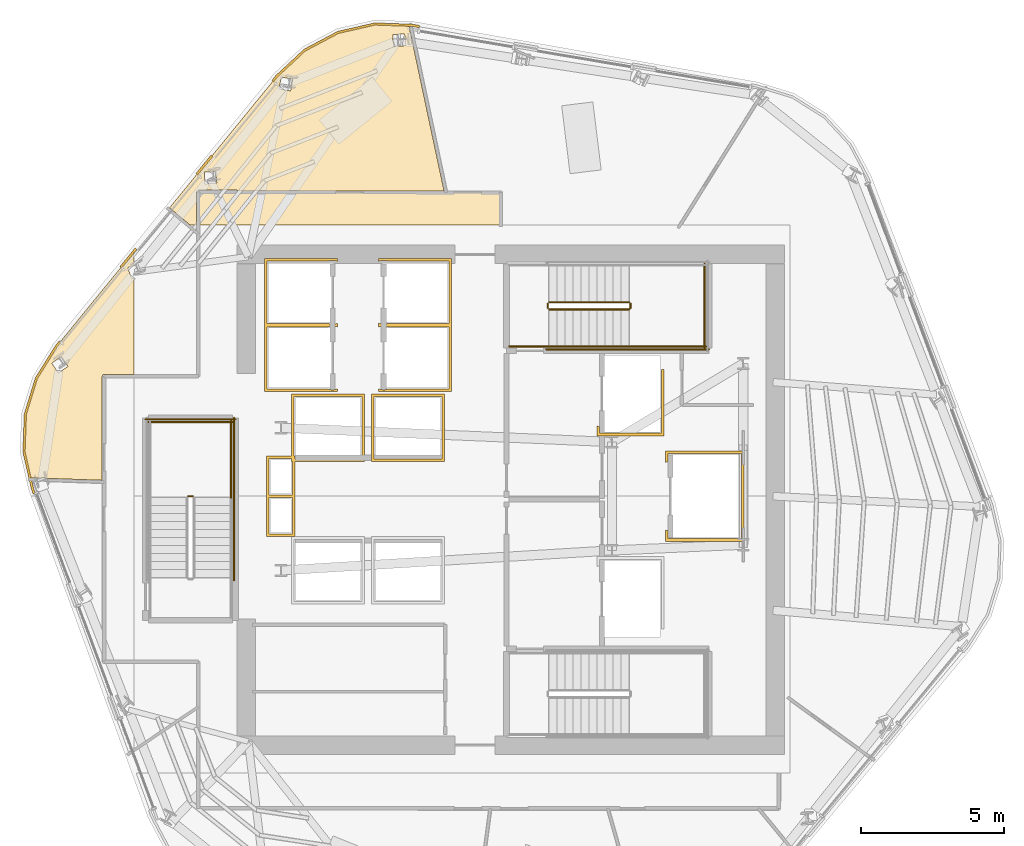
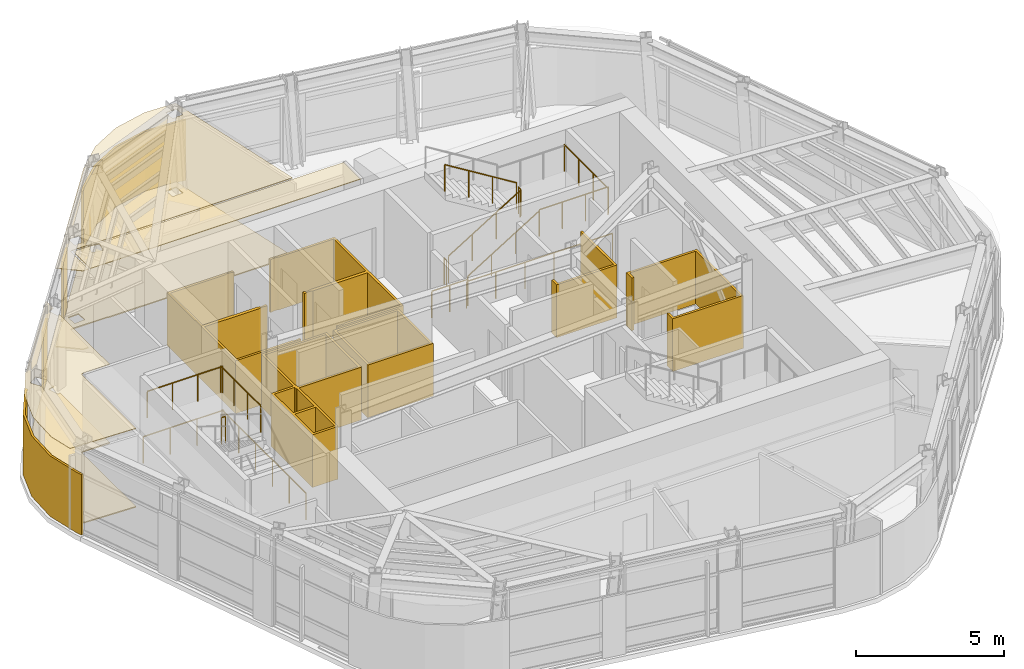
# One storey, part 10 of 12: 15 coverings, 14 railings.
"""IFC4 building model written with IfcOpenShell, lengths in metres."""

import ifcopenshell
import ifcopenshell.guid

model = None  # the IFC model being written
_history = None  # IfcOwnerHistory: only IFC2X3 demands one
_inside = {}  # id of a spatial element -> (the spatial element, [elements in it])
_under = {}  # id of a project, library or spatial element -> (it, [spatial elements below it])
_declared = {}  # id of a project -> (the project, [libraries it declares])
_typed = {}  # id of a type object -> (the type object, [elements of that type])
_made_of = {}  # id of a material, layer set ... -> (it, [elements and type objects made of it])


def new_model(schema):
    """Start an empty IFC model of exactly this schema.

    Asked for "IFC4X3", IfcOpenShell would pick the latest addendum, in which some entities
    have other attributes; the version numbers below select the first issue.
    IFC2X3 requires an IfcOwnerHistory on every rooted entity: one is made here for all.
    """
    global model, _history
    if schema == "IFC4X3":
        model = ifcopenshell.file(schema_version=(4, 3, 0, 0))
    else:
        model = ifcopenshell.file(schema=schema)
    _inside.clear()
    _under.clear()
    _declared.clear()
    _typed.clear()
    _made_of.clear()
    _history = None
    if model.schema == "IFC2X3":
        org = make("IfcOrganization", Name="unknown")
        user = make(
            "IfcPersonAndOrganization",
            ThePerson=make("IfcPerson", FamilyName="unknown"),
            TheOrganization=org,
        )
        app = make(
            "IfcApplication",
            ApplicationDeveloper=org,
            Version="unknown",
            ApplicationFullName="unknown",
            ApplicationIdentifier="unknown",
        )
        _history = make(
            "IfcOwnerHistory",
            OwningUser=user,
            OwningApplication=app,
            ChangeAction="ADDED",
            CreationDate=0,
        )
    return model


def make(cls, **values):
    """One entity of the class cls with the attributes given. An attribute that is None is left unset."""
    return model.create_entity(
        cls, **{name: value for name, value in values.items() if value is not None}
    )


def rooted(cls, **values):
    """An entity with a GlobalId (a new one), such as an element, a storey or a relation."""
    return make(cls, GlobalId=ifcopenshell.guid.new(), OwnerHistory=_history, **values)


def si_unit(unit_type, name, prefix=None):
    """IfcSIUnit, for example si_unit("LENGTHUNIT", "METRE", prefix="MILLI")."""
    return make("IfcSIUnit", UnitType=unit_type, Prefix=prefix, Name=name)


def assignment(units):
    """IfcUnitAssignment: the units of a project."""
    return None if units is None else make("IfcUnitAssignment", Units=units)


def point(xyz):
    """IfcCartesianPoint."""
    return None if xyz is None else make("IfcCartesianPoint", Coordinates=xyz)


def direction(xyz):
    """IfcDirection."""
    return None if xyz is None else make("IfcDirection", DirectionRatios=xyz)


def frame(location, z_axis=None, x_axis=None):
    """IfcAxis2Placement3D, a coordinate frame: its origin and axes. An axis left out is left unset."""
    return make(
        "IfcAxis2Placement3D",
        Location=point(location),
        Axis=direction(z_axis),
        RefDirection=direction(x_axis),
    )


def frame_2d(location, x_axis=None):
    """IfcAxis2Placement2D, a coordinate frame in the plane: its origin and x axis."""
    return make(
        "IfcAxis2Placement2D", Location=point(location), RefDirection=direction(x_axis)
    )


def origin():
    """The frame at (0, 0, 0) with its axes left unset."""
    return frame((0.0, 0.0, 0.0))


def origin_2d():
    """The frame at (0, 0) in the plane with its x axis left unset."""
    return frame_2d((0.0, 0.0))


def place(relative_to, where):
    """IfcLocalPlacement: puts the frame where relative to a parent placement (None: the world)."""
    return make(
        "IfcLocalPlacement", PlacementRelTo=relative_to, RelativePlacement=where
    )


def context(
    kind, dimensions, precision=None, world=None, true_north=None, identifier=None
):
    """IfcGeometricRepresentationContext, for example the 3D "Model" context."""
    return make(
        "IfcGeometricRepresentationContext",
        ContextIdentifier=identifier,
        ContextType=kind,
        CoordinateSpaceDimension=dimensions,
        Precision=precision,
        WorldCoordinateSystem=world,
        TrueNorth=true_north,
    )


def subcontext(parent, identifier, kind, view, scale=None):
    """IfcGeometricRepresentationSubContext, for example "Body" below "Model"."""
    return make(
        "IfcGeometricRepresentationSubContext",
        ContextIdentifier=identifier,
        ContextType=kind,
        ParentContext=parent,
        TargetScale=scale,
        TargetView=view,
    )


def project(units=None, contexts=None):
    """IfcProject with its units and contexts."""
    return rooted(
        "IfcProject",
        Name="project",
        RepresentationContexts=contexts,
        UnitsInContext=assignment(units),
    )


def spatial(cls, under=None, at=None, **own):
    """A site, building, storey or space (cls), placed at a placement, below another one or the project."""
    s = rooted(cls, ObjectPlacement=at, **own)
    if under is not None:
        _under.setdefault(under.id(), (under, []))[1].append(s)
    return s


def polyline(points):
    """IfcPolyline through the points."""
    return make("IfcPolyline", Points=[point(p) for p in points])


def profile(cls, at=None, kind="AREA", **sizes):
    """A parametric profile (cls). Its sizes go by their IFC names, for example OverallWidth=200.0."""
    return make(cls, ProfileType=kind, Position=at, **sizes)


def circle(**sizes):
    """IfcCircleProfileDef."""
    return profile("IfcCircleProfileDef", **sizes)


def outline(outer, holes=None, kind="AREA"):
    """IfcArbitraryClosedProfileDef: a profile drawn as a closed curve; with holes, ...WithVoids."""
    if holes is None:
        return make("IfcArbitraryClosedProfileDef", ProfileType=kind, OuterCurve=outer)
    return make(
        "IfcArbitraryProfileDefWithVoids",
        ProfileType=kind,
        OuterCurve=outer,
        InnerCurves=holes,
    )


def extrude(swept, where, along, depth):
    """IfcExtrudedAreaSolid: the profile swept, set in the frame where, extruded along a direction by depth."""
    return make(
        "IfcExtrudedAreaSolid",
        SweptArea=swept,
        Position=where,
        ExtrudedDirection=direction(along),
        Depth=depth,
    )


def shape(context_of_items, identifier, shape_type, items):
    """IfcShapeRepresentation: the items that make up one representation, for example the "Body"."""
    return make(
        "IfcShapeRepresentation",
        ContextOfItems=context_of_items,
        RepresentationIdentifier=identifier,
        RepresentationType=shape_type,
        Items=items,
    )


def material(Name=None, Category=None):
    """IfcMaterial."""
    return make("IfcMaterial", Name=Name, Category=Category)


def layer(
    of_material, thickness, ventilated=None, Name=None, Category=None, Priority=None
):
    """IfcMaterialLayer: one layer of a wall or slab, of a material (None: an air gap)."""
    return make(
        "IfcMaterialLayer",
        Material=of_material,
        LayerThickness=thickness,
        IsVentilated=ventilated,
        Name=Name,
        Category=Category,
        Priority=Priority,
    )


def layer_set(layers, Name=None):
    """IfcMaterialLayerSet."""
    return make("IfcMaterialLayerSet", MaterialLayers=layers, LayerSetName=Name)


def made_of(thing, what):
    """Note that an element or type object is made of a material, layer set ...; save() writes the relation."""
    if what is not None:
        _made_of.setdefault(what.id(), (what, []))[1].append(thing)
    return thing


def type_object(cls, material=None, **own):
    """A type object (cls), such as IfcWallType, which elements share."""
    return made_of(rooted(cls, **own), material)


def element(
    cls,
    number,
    at=None,
    inside=None,
    cuts=None,
    type_object=None,
    material=None,
    context=None,
    identifier="Body",
    shape_type=None,
    held_by="IfcProductDefinitionShape",
    body=None,
    shapes=None,
    **own,
):
    """One element of the class cls, such as IfcWall. Its Tag is "e" and its number.

    at: its placement. inside: the storey or other place that contains it. cuts: it is an
    opening in that element (IfcRelVoidsElement). A single representation is given by context,
    identifier, shape_type and body (its items); several are given by shapes. held_by: the class
    of the entity that holds the representations. save() writes the other relations.
    """
    e = rooted(cls, Tag="e%d" % number, ObjectPlacement=at, **own)
    if body is not None:
        shapes = [shape(context, identifier, shape_type, body)]
    if shapes is not None:
        e.Representation = make(held_by, Representations=shapes)
    if inside is not None:
        _inside.setdefault(inside.id(), (inside, []))[1].append(e)
    if cuts is not None:
        rooted(
            "IfcRelVoidsElement", RelatingBuildingElement=cuts, RelatedOpeningElement=e
        )
    if type_object is not None:
        _typed.setdefault(type_object.id(), (type_object, []))[1].append(e)
    return made_of(e, material)


def aggregate(whole, parts):
    """IfcRelAggregates: a whole, such as a stair, and the parts it consists of."""
    return rooted("IfcRelAggregates", RelatingObject=whole, RelatedObjects=parts)


def save(model, path):
    """Write the relations noted so far, then the file.

    IfcRelAggregates (storeys below a building ...), IfcRelContainedInSpatialStructure (elements
    in a storey), IfcRelDefinesByType, IfcRelAssociatesMaterial and IfcRelDeclares: one each for
    every whole, place, type object, material and project.
    """
    for whole, parts in _under.values():
        aggregate(whole, parts)
    for where, things in _inside.values():
        rooted(
            "IfcRelContainedInSpatialStructure",
            RelatedElements=things,
            RelatingStructure=where,
        )
    for kind, things in _typed.values():
        rooted("IfcRelDefinesByType", RelatedObjects=things, RelatingType=kind)
    for what, things in _made_of.values():
        rooted("IfcRelAssociatesMaterial", RelatedObjects=things, RelatingMaterial=what)
    for by, libraries in _declared.values():
        rooted("IfcRelDeclares", RelatingContext=by, RelatedDefinitions=libraries)
    model.write(path)


model = new_model("IFC4")

# Units and contexts
model_context = context("Model", 3, precision=1e-05, world=origin(), true_north=direction((0.0, 1.0)))
body_context = subcontext(model_context, "Body", "Model", "MODEL_VIEW")
ifc_project = project(units=[si_unit("LENGTHUNIT", "METRE"), si_unit("AREAUNIT", "SQUARE_METRE"), si_unit("VOLUMEUNIT", "CUBIC_METRE"), si_unit("PLANEANGLEUNIT", "RADIAN"), si_unit("MASSUNIT", "GRAM", prefix="KILO")], contexts=[model_context])

# Site, building, storey
site_placement = place(None, origin())
site = spatial("IfcSite", under=ifc_project, at=site_placement, CompositionType="ELEMENT")
building_placement = place(site_placement, origin())
building = spatial("IfcBuilding", under=site, at=building_placement, Name="Valkerne Bourse Tower", CompositionType="ELEMENT")
storey_placement = place(building_placement, frame((0.0, 0.0, 239.800048828125)))
storey = spatial("IfcBuildingStorey", under=building, at=storey_placement, Name="L61", CompositionType="ELEMENT", Elevation=239.800048828125)

# Coverings
ifc_material_1 = material(Name="Mineral Fiber Acoustic Ceiling Tile", Category="acoustic")
ifc_layer_1 = layer(ifc_material_1, 0.02490234375)
ifc_layer_set_1 = layer_set([ifc_layer_1], Name="Mineral Fiber Acoustic Ceiling Tile")
covering_type_1 = type_object("IfcCoveringType", Name="COV-CEIL-ACT", PredefinedType="CEILING", material=ifc_layer_set_1)
covering_1_placement = place(storey_placement, frame((0.0, 0.0, 3.25)))
element("IfcCovering", 1, at=covering_1_placement, inside=storey, type_object=covering_type_1, Name="L61 Suspended Ceiling 07", PredefinedType="CEILING", context=body_context, shape_type="SweptSolid", body=[
    extrude(outline(polyline([(30.17919921875, 31.137939453125), (30.8857421875, 32.264404296875), (33.60009765625, 35.589599609375), (33.60009765625, 35.094482421875), (33.377197265625, 35.017333984375), (33.376220703125, 35.015380859375), (33.51220703125, 34.62451171875), (33.60009765625, 34.65478515625), (33.60009765625, 31.26904296875), (32.549560546875, 31.26904296875), (32.52099609375, 31.2626953125), (32.498291015625, 31.245849609375), (32.48095703125, 31.20068359375), (32.48095703125, 27.55908203125), (30.48779296875, 27.628662109375), (30.475830078125, 27.66357421875), (30.383056640625, 27.63232421875), (29.951416015625, 27.6474609375), (29.742919921875, 28.55810546875), (29.791259765625, 29.876708984375), (30.17919921875, 31.137939453125)]), holes=[polyline([(31.285400390625, 31.55029296875), (31.05419921875, 31.89404296875), (30.71240234375, 31.665283203125), (30.711669921875, 31.6630859375), (30.942626953125, 31.319580078125), (31.28466796875, 31.548095703125), (31.285400390625, 31.55029296875)])]), origin(), (0.0, 0.0, 1.0), 0.02490234375),
])
covering_2_placement = place(storey_placement, frame((0.0, 0.0, 3.25)))
element("IfcCovering", 2, at=covering_2_placement, inside=storey, type_object=covering_type_1, Name="L61 Suspended Ceiling 08", PredefinedType="CEILING", context=body_context, shape_type="SweptSolid", body=[
    extrude(outline(polyline([(40.75439453125, 43.255859375), (42.040771484375, 43.55029296875), (43.231201171875, 43.5068359375), (44.46337890625, 37.708984375), (37.248046875, 37.708984375), (37.22900390625, 37.72265625), (37.200439453125, 37.72900390625), (35.839111328125, 37.728271484375), (35.79833984375, 37.7060546875), (35.781005859375, 37.66357421875), (35.781005859375, 36.5), (35.570068359375, 36.5), (34.841796875, 37.111083984375), (38.614990234375, 41.73388671875), (39.58837890625, 42.638427734375), (40.75439453125, 43.255859375)]), holes=[polyline([(36.49658203125, 37.973876953125), (36.498291015625, 37.975341796875), (36.4736328125, 38.388671875), (36.06298828125, 38.364990234375), (36.061279296875, 38.363525390625), (36.0859375, 37.9501953125), (36.49658203125, 37.973876953125)]), polyline([(39.082763671875, 41.207763671875), (39.163818359375, 41.61376953125), (38.760498046875, 41.695068359375), (38.75830078125, 41.69384765625), (38.677490234375, 41.287841796875), (39.08056640625, 41.20654296875), (39.082763671875, 41.207763671875)]), polyline([(43.110107421875, 42.79638671875), (43.08251953125, 43.207275390625), (42.669921875, 43.179931640625), (42.66748046875, 43.179443359375), (42.6953125, 42.768310546875), (43.10791015625, 42.7958984375), (43.110107421875, 42.79638671875)])]), origin(), (0.0, 0.0, 1.0), 0.02490234375),
])
ifc_material_2 = material(Name="Bronze Anodised Aluminium AA 6063-T6", Category="aluminium")
ifc_layer_2 = layer(ifc_material_2, 0.030029296875)
ifc_layer_set_2 = layer_set([ifc_layer_2], Name="Bronze Anodised Aluminium AA 6063-T6")
covering_type_2 = type_object("IfcCoveringType", Name="COV-CEIL-METAL", PredefinedType="CEILING", material=ifc_layer_set_2)
covering_3_placement = place(storey_placement, frame((0.0, 0.0, 3.25)))
element("IfcCovering", 3, at=covering_3_placement, inside=storey, type_object=covering_type_2, Name="L61 Suspended Ceiling 03", PredefinedType="CEILING", context=body_context, shape_type="SweptSolid", body=[
    extrude(outline(polyline([(35.85400390625, 37.656005859375), (37.196044921875, 37.656005859375), (37.196044921875, 37.635986328125), (46.446044921875, 37.635986328125), (46.446044921875, 36.5), (35.85400390625, 36.5), (35.85400390625, 37.656005859375)])), origin(), (0.0, 0.0, 1.0), 0.02490234375),
])
ifc_layer_3 = layer(ifc_material_2, 0.06005859375)
ifc_layer_set_3 = layer_set([ifc_layer_3], Name="Bronze Anodised Aluminium AA 6063-T6")
covering_type_3 = type_object("IfcCoveringType", Name="COV-CRN-ALUM", PredefinedType="CLADDING", material=ifc_layer_set_3)
covering_4_placement = place(storey_placement, origin())
element("IfcCovering", 4, at=covering_4_placement, inside=storey, type_object=covering_type_3, Name="L61 Wind-Shaped Corner Aluminium Cladding 10", PredefinedType="CLADDING", context=body_context, shape_type="SweptSolid", body=[
    extrude(outline(polyline([(29.99755859375, 27.249755859375), (29.69873046875, 28.553955078125), (29.74755859375, 29.88427734375), (30.138916015625, 31.156494140625), (30.85009765625, 32.2900390625), (30.971923828125, 32.439453125), (31.03369140625, 32.388427734375), (30.9150390625, 32.243408203125), (30.21240234375, 31.122802734375), (29.826904296875, 29.87060546875), (29.779052734375, 28.5615234375), (30.074462890625, 27.2724609375), (30.138427734375, 27.09619140625), (30.0634765625, 27.068359375), (29.99755859375, 27.249755859375)])), origin(), (0.0, 0.0, 1.0), 2.5),
])
covering_5_placement = place(storey_placement, origin())
element("IfcCovering", 5, at=covering_5_placement, inside=storey, type_object=covering_type_3, Name="L61 Wind-Shaped Corner Aluminium Cladding 11", PredefinedType="CLADDING", context=body_context, shape_type="SweptSolid", body=[
    extrude(outline(polyline([(33.63525390625, 35.702392578125), (33.697021484375, 35.651611328125), (33.166015625, 35.000732421875), (33.104248046875, 35.0517578125), (33.63525390625, 35.702392578125)])), origin(), (0.0, 0.0, 1.0), 2.5),
])
covering_6_placement = place(storey_placement, origin())
element("IfcCovering", 6, at=covering_6_placement, inside=storey, type_object=covering_type_3, Name="L61 Wind-Shaped Corner Aluminium Cladding 12", PredefinedType="CLADDING", context=body_context, shape_type="SweptSolid", body=[
    extrude(outline(polyline([(36.298583984375, 38.965576171875), (36.3603515625, 38.91455078125), (35.8291015625, 38.263916015625), (35.767578125, 38.31494140625), (36.298583984375, 38.965576171875)])), origin(), (0.0, 0.0, 1.0), 2.5),
])
covering_7_placement = place(storey_placement, origin())
element("IfcCovering", 7, at=covering_7_placement, inside=storey, type_object=covering_type_3, Name="L61 Wind-Shaped Corner Aluminium Cladding 13", PredefinedType="CLADDING", context=body_context, shape_type="SweptSolid", body=[
    extrude(outline(polyline([(38.5830078125, 41.76416015625), (39.5625, 42.674560546875), (40.739013671875, 43.297607421875), (42.03662109375, 43.594482421875), (43.373046875, 43.545654296875), (43.609619140625, 43.50390625), (43.596435546875, 43.425048828125), (43.364501953125, 43.4658203125), (42.044189453125, 43.514404296875), (40.76708984375, 43.2216796875), (39.609375, 42.60888671875), (38.641357421875, 41.709228515625), (38.49267578125, 41.527099609375), (38.430908203125, 41.577880859375), (38.5830078125, 41.76416015625)])), origin(), (0.0, 0.0, 1.0), 2.5),
])
ifc_material_3 = material(Name="Galvanised Painted Steel", Category="steel")
ifc_layer_4 = layer(ifc_material_3, 0.044921875)
ifc_layer_set_4 = layer_set([ifc_layer_4], Name="Galvanised Painted Steel")
covering_type_4 = type_object("IfcCoveringType", Name="COV-FLR-RAF", PredefinedType="FLOORING", material=ifc_layer_set_4)
covering_8_placement = place(storey_placement, origin())
element("IfcCovering", 8, at=covering_8_placement, inside=storey, type_object=covering_type_4, Name="L61 Floor Finish 07", PredefinedType="FLOORING", context=body_context, shape_type="SweptSolid", body=[
    extrude(outline(polyline([(30.17919921875, 31.137939453125), (30.8857421875, 32.264404296875), (33.60009765625, 35.589599609375), (33.60009765625, 35.094482421875), (33.377197265625, 35.017333984375), (33.376220703125, 35.015380859375), (33.51220703125, 34.62451171875), (33.60009765625, 34.65478515625), (33.60009765625, 31.26904296875), (32.549560546875, 31.26904296875), (32.52099609375, 31.2626953125), (32.498291015625, 31.245849609375), (32.48095703125, 31.20068359375), (32.48095703125, 27.55908203125), (30.48779296875, 27.628662109375), (30.475830078125, 27.66357421875), (30.383056640625, 27.63232421875), (29.951416015625, 27.6474609375), (29.742919921875, 28.55810546875), (29.791259765625, 29.876708984375), (30.17919921875, 31.137939453125)]), holes=[polyline([(31.285400390625, 31.55029296875), (31.05419921875, 31.89404296875), (30.71240234375, 31.665283203125), (30.711669921875, 31.6630859375), (30.942626953125, 31.319580078125), (31.28466796875, 31.548095703125), (31.285400390625, 31.55029296875)])]), origin(), (0.0, 0.0, 1.0), 0.044921875),
])
covering_9_placement = place(storey_placement, origin())
element("IfcCovering", 9, at=covering_9_placement, inside=storey, type_object=covering_type_4, Name="L61 Floor Finish 08", PredefinedType="FLOORING", context=body_context, shape_type="SweptSolid", body=[
    extrude(outline(polyline([(40.75439453125, 43.255859375), (42.040771484375, 43.55029296875), (43.231201171875, 43.5068359375), (44.46337890625, 37.708984375), (37.248046875, 37.708984375), (37.22900390625, 37.72265625), (37.200439453125, 37.72900390625), (35.839111328125, 37.728271484375), (35.79833984375, 37.7060546875), (35.781005859375, 37.66357421875), (35.781005859375, 36.5), (35.570068359375, 36.5), (34.841796875, 37.111083984375), (38.614990234375, 41.73388671875), (39.58837890625, 42.638427734375), (40.75439453125, 43.255859375)]), holes=[polyline([(36.49658203125, 37.973876953125), (36.498291015625, 37.975341796875), (36.4736328125, 38.388671875), (36.06298828125, 38.364990234375), (36.061279296875, 38.363525390625), (36.0859375, 37.9501953125), (36.49658203125, 37.973876953125)]), polyline([(39.082763671875, 41.207763671875), (39.163818359375, 41.61376953125), (38.760498046875, 41.695068359375), (38.75830078125, 41.69384765625), (38.677490234375, 41.287841796875), (39.08056640625, 41.20654296875), (39.082763671875, 41.207763671875)]), polyline([(43.110107421875, 42.79638671875), (43.08251953125, 43.207275390625), (42.669921875, 43.179931640625), (42.66748046875, 43.179443359375), (42.6953125, 42.768310546875), (43.10791015625, 42.7958984375), (43.110107421875, 42.79638671875)])]), origin(), (0.0, 0.0, 1.0), 0.044921875),
])
ifc_material_4 = material(Name="Gypsum Shaftwall Liner Board", Category="gypsum")
ifc_layer_5 = layer(ifc_material_4, 0.080078125)
ifc_layer_set_5 = layer_set([ifc_layer_5], Name="Gypsum Shaftwall Liner Board")
covering_type_5 = type_object("IfcCoveringType", Name="COV-SHF-CLAD", PredefinedType="CLADDING", material=ifc_layer_set_5)
covering_10_placement = place(storey_placement, origin())
element("IfcCovering", 10, at=covering_10_placement, inside=storey, type_object=covering_type_5, Name="L61 Hoistway & Riser Shaftwall Liner 03", PredefinedType="CLADDING", context=body_context, shape_type="SweptSolid", body=[
    extrude(outline(polyline([(38.239990234375, 28.409912109375), (39.1201171875, 28.409912109375), (39.1201171875, 30.580078125), (41.679931640625, 30.580078125), (41.679931640625, 28.219970703125), (39.239990234375, 28.219970703125), (39.239990234375, 27.0400390625), (39.239990234375, 26.9599609375), (39.239990234375, 25.590087890625), (38.239990234375, 25.590087890625), (38.239990234375, 26.9599609375), (38.239990234375, 27.0400390625), (38.239990234375, 28.409912109375)]), holes=[polyline([(38.330078125, 26.949951171875), (38.330078125, 25.679931640625), (39.14990234375, 25.679931640625), (39.14990234375, 26.949951171875), (38.330078125, 26.949951171875)]), polyline([(39.2099609375, 30.489990234375), (39.2099609375, 28.409912109375), (39.239990234375, 28.409912109375), (39.239990234375, 28.31005859375), (41.590087890625, 28.31005859375), (41.590087890625, 30.489990234375), (39.2099609375, 30.489990234375)]), polyline([(38.330078125, 27.050048828125), (39.14990234375, 27.050048828125), (39.14990234375, 28.219970703125), (39.1201171875, 28.219970703125), (39.1201171875, 28.320068359375), (38.330078125, 28.320068359375), (38.330078125, 27.050048828125)])]), origin(), (0.0, 0.0, 1.0), 2.179931640625),
])
covering_11_placement = place(storey_placement, origin())
element("IfcCovering", 11, at=covering_11_placement, inside=storey, type_object=covering_type_5, Name="L61 Hoistway & Riser Shaftwall Liner 04", PredefinedType="CLADDING", context=body_context, shape_type="SweptSolid", body=[
    extrude(outline(polyline([(38.169921875, 35.330078125), (40.72998046875, 35.330078125), (40.72998046875, 35.232177734375), (40.72216796875, 35.235595703125), (40.6806640625, 35.25048828125), (40.6376953125, 35.261474609375), (40.593994140625, 35.267822265625), (40.550048828125, 35.27001953125), (40.505859375, 35.267822265625), (40.462158203125, 35.261474609375), (40.41943359375, 35.25048828125), (40.3896484375, 35.239990234375), (38.260009765625, 35.239990234375), (38.260009765625, 33.06005859375), (40.3896484375, 33.06005859375), (40.41943359375, 33.04931640625), (40.462158203125, 33.03857421875), (40.505859375, 33.0322265625), (40.550048828125, 33.030029296875), (40.593994140625, 33.0322265625), (40.6376953125, 33.03857421875), (40.6806640625, 33.04931640625), (40.72216796875, 33.064208984375), (40.72998046875, 33.06787109375), (40.72998046875, 33.030029296875), (40.72998046875, 32.969970703125), (40.72998046875, 32.93212890625), (40.72216796875, 32.935791015625), (40.6806640625, 32.95068359375), (40.6376953125, 32.96142578125), (40.593994140625, 32.9677734375), (40.550048828125, 32.969970703125), (40.505859375, 32.9677734375), (40.462158203125, 32.96142578125), (40.41943359375, 32.95068359375), (40.3896484375, 32.93994140625), (38.260009765625, 32.93994140625), (38.260009765625, 30.760009765625), (40.3896484375, 30.760009765625), (40.41943359375, 30.74951171875), (40.462158203125, 30.738525390625), (40.505859375, 30.732177734375), (40.550048828125, 30.72998046875), (40.593994140625, 30.732177734375), (40.6376953125, 30.738525390625), (40.6806640625, 30.74951171875), (40.72216796875, 30.764404296875), (40.72998046875, 30.767822265625), (40.72998046875, 30.669921875), (38.169921875, 30.669921875), (38.169921875, 32.969970703125), (38.169921875, 33.030029296875), (38.169921875, 35.330078125)])), origin(), (0.0, 0.0, 1.0), 2.179931640625),
])
covering_12_placement = place(storey_placement, origin())
element("IfcCovering", 12, at=covering_12_placement, inside=storey, type_object=covering_type_5, Name="L61 Hoistway & Riser Shaftwall Liner 06", PredefinedType="CLADDING", context=body_context, shape_type="SweptSolid", body=[
    extrude(outline(polyline([(54.97998046875, 25.419921875), (52.219970703125, 25.419921875), (52.219970703125, 25.81787109375), (52.227783203125, 25.814208984375), (52.269287109375, 25.79931640625), (52.31005859375, 25.789306640625), (52.31005859375, 25.510009765625), (54.889892578125, 25.510009765625), (54.889892578125, 28.489990234375), (52.31005859375, 28.489990234375), (52.31005859375, 28.210693359375), (52.269287109375, 28.20068359375), (52.227783203125, 28.185791015625), (52.219970703125, 28.18212890625), (52.219970703125, 28.580078125), (54.97998046875, 28.580078125), (54.97998046875, 25.419921875)])), origin(), (0.0, 0.0, 1.0), 2.179931640625),
])
covering_13_placement = place(storey_placement, origin())
element("IfcCovering", 13, at=covering_13_placement, inside=storey, type_object=covering_type_5, Name="L61 Hoistway & Riser Shaftwall Liner 07", PredefinedType="CLADDING", context=body_context, shape_type="SweptSolid", body=[
    extrude(outline(polyline([(44.47998046875, 28.219970703125), (41.919921875, 28.219970703125), (41.919921875, 30.580078125), (44.47998046875, 30.580078125), (44.47998046875, 28.219970703125)]), holes=[polyline([(42.010009765625, 30.489990234375), (42.010009765625, 28.31005859375), (44.389892578125, 28.31005859375), (44.389892578125, 30.489990234375), (42.010009765625, 30.489990234375)])]), origin(), (0.0, 0.0, 1.0), 2.179931640625),
])
covering_14_placement = place(storey_placement, origin())
element("IfcCovering", 14, at=covering_14_placement, inside=storey, type_object=covering_type_5, Name="L61 Hoistway & Riser Shaftwall Liner 08", PredefinedType="CLADDING", context=body_context, shape_type="SweptSolid", body=[
    extrude(outline(polyline([(49.820068359375, 29.1201171875), (49.820068359375, 29.468017578125), (49.827880859375, 29.46435546875), (49.869384765625, 29.449462890625), (49.909912109375, 29.439208984375), (49.909912109375, 29.2099609375), (52.090087890625, 29.2099609375), (52.090087890625, 31.449951171875), (52.179931640625, 31.449951171875), (52.179931640625, 29.1201171875), (49.820068359375, 29.1201171875)])), origin(), (0.0, 0.0, 1.0), 2.179931640625),
])
covering_15_placement = place(storey_placement, origin())
element("IfcCovering", 15, at=covering_15_placement, inside=storey, type_object=covering_type_5, Name="L61 Hoistway & Riser Shaftwall Liner 09", PredefinedType="CLADDING", context=body_context, shape_type="SweptSolid", body=[
    extrude(outline(polyline([(42.169921875, 33.06787109375), (42.177734375, 33.064208984375), (42.219482421875, 33.04931640625), (42.26220703125, 33.03857421875), (42.305908203125, 33.0322265625), (42.35009765625, 33.030029296875), (42.39404296875, 33.0322265625), (42.437744140625, 33.03857421875), (42.480712890625, 33.04931640625), (42.51025390625, 33.06005859375), (44.639892578125, 33.06005859375), (44.639892578125, 35.239990234375), (42.51025390625, 35.239990234375), (42.480712890625, 35.25048828125), (42.437744140625, 35.261474609375), (42.39404296875, 35.267822265625), (42.35009765625, 35.27001953125), (42.305908203125, 35.267822265625), (42.26220703125, 35.261474609375), (42.219482421875, 35.25048828125), (42.177734375, 35.235595703125), (42.169921875, 35.232177734375), (42.169921875, 35.330078125), (44.72998046875, 35.330078125), (44.72998046875, 33.030029296875), (44.72998046875, 32.969970703125), (44.72998046875, 30.669921875), (42.169921875, 30.669921875), (42.169921875, 30.767822265625), (42.177734375, 30.764404296875), (42.219482421875, 30.74951171875), (42.26220703125, 30.738525390625), (42.305908203125, 30.732177734375), (42.35009765625, 30.72998046875), (42.39404296875, 30.732177734375), (42.437744140625, 30.738525390625), (42.480712890625, 30.74951171875), (42.51025390625, 30.760009765625), (44.639892578125, 30.760009765625), (44.639892578125, 32.93994140625), (42.51025390625, 32.93994140625), (42.480712890625, 32.95068359375), (42.437744140625, 32.96142578125), (42.39404296875, 32.9677734375), (42.35009765625, 32.969970703125), (42.305908203125, 32.9677734375), (42.26220703125, 32.96142578125), (42.219482421875, 32.95068359375), (42.177734375, 32.935791015625), (42.169921875, 32.93212890625), (42.169921875, 32.969970703125), (42.169921875, 33.030029296875), (42.169921875, 33.06787109375)])), origin(), (0.0, 0.0, 1.0), 2.179931640625),
])

# Railings
railing_type_1 = type_object("IfcRailingType", Name="RLG-ST-GUARD-1120", PredefinedType="GUARDRAIL", material=ifc_material_3)
railing_1_placement = place(storey_placement, frame((48.14990234375, 33.550048828125, 0.172607421875)))
element("IfcRailing", 16, at=railing_1_placement, inside=storey, type_object=railing_type_1, Name="L61 ST-2 stair guard 1", PredefinedType="GUARDRAIL", context=body_context, shape_type="SweptSolid", body=[
    extrude(circle(Radius=0.02392578125, at=origin_2d()), frame((0.0, 0.0, 1.09619140625), z_axis=(0.851089632645, 0.0, 0.525020415988), x_axis=(0.0, 1.0, 0.0)), (0.0, 0.0, 1.0), 3.2900390625),
    extrude(circle(Radius=0.02099609375, at=origin_2d()), origin(), (0.0, 0.0, 1.0), 1.072021484375),
    extrude(circle(Radius=0.02099609375, at=origin_2d()), frame((0.933349609375, 0.0, 0.57568359375)), (0.0, 0.0, 1.0), 1.072021484375),
    extrude(circle(Radius=0.02099609375, at=origin_2d()), frame((1.86669921875, 0.0, 1.151611328125)), (0.0, 0.0, 1.0), 1.072021484375),
    extrude(circle(Radius=0.02099609375, at=origin_2d()), frame((2.800048828125, 0.0, 1.727294921875)), (0.0, 0.0, 1.0), 1.072021484375),
])
railing_2_placement = place(storey_placement, frame((51.0, 33.60009765625, 1.89990234375)))
element("IfcRailing", 17, at=railing_2_placement, inside=storey, type_object=railing_type_1, Name="L61 ST-2 stair guard 2", PredefinedType="GUARDRAIL", context=body_context, shape_type="SweptSolid", body=[
    extrude(circle(Radius=0.02392578125, at=origin_2d()), frame((0.0, 0.0, 1.09619140625), z_axis=(0.0, 1.0, 0.0), x_axis=(-1.0, 0.0, 0.0)), (0.0, 0.0, 1.0), 0.14990234375),
    extrude(circle(Radius=0.02099609375, at=origin_2d()), origin(), (0.0, 0.0, 1.0), 1.072021484375),
    extrude(circle(Radius=0.02099609375, at=origin_2d()), frame((0.0, 0.14990234375, 0.0)), (0.0, 0.0, 1.0), 1.072021484375),
])
railing_3_placement = place(storey_placement, frame((50.949951171875, 32.25, 1.89990234375)))
element("IfcRailing", 18, at=railing_3_placement, inside=storey, type_object=railing_type_1, Name="L61 ST-2 stair guard 3", PredefinedType="GUARDRAIL", context=body_context, shape_type="SweptSolid", body=[
    extrude(circle(Radius=0.02392578125, at=origin_2d()), frame((0.0, 0.0, 1.09619140625), z_axis=(1.0, 0.0, 0.0), x_axis=(0.0, 1.0, 0.0)), (0.0, 0.0, 1.0), 2.699951171875),
    extrude(circle(Radius=0.02099609375, at=origin_2d()), origin(), (0.0, 0.0, 1.0), 1.072021484375),
    extrude(circle(Radius=0.02099609375, at=origin_2d()), frame((0.89990234375, 0.0, 0.0)), (0.0, 0.0, 1.0), 1.072021484375),
    extrude(circle(Radius=0.02099609375, at=origin_2d()), frame((1.800048828125, 0.0, 0.0)), (0.0, 0.0, 1.0), 1.072021484375),
    extrude(circle(Radius=0.02099609375, at=origin_2d()), frame((2.699951171875, 0.0, 0.0)), (0.0, 0.0, 1.0), 1.072021484375),
])
railing_4_placement = place(storey_placement, frame((53.60009765625, 32.199951171875, 1.89990234375)))
element("IfcRailing", 19, at=railing_4_placement, inside=storey, type_object=railing_type_1, Name="L61 ST-2 stair guard 5", PredefinedType="GUARDRAIL", context=body_context, shape_type="SweptSolid", body=[
    extrude(circle(Radius=0.02392578125, at=origin_2d()), frame((0.0, 0.0, 1.09619140625), z_axis=(0.0, 1.0, 0.0), x_axis=(-1.0, 0.0, 0.0)), (0.0, 0.0, 1.0), 2.949951171875),
    extrude(circle(Radius=0.02099609375, at=origin_2d()), origin(), (0.0, 0.0, 1.0), 1.072021484375),
    extrude(circle(Radius=0.02099609375, at=origin_2d()), frame((0.0, 0.9833984375, 0.0)), (0.0, 0.0, 1.0), 1.072021484375),
    extrude(circle(Radius=0.02099609375, at=origin_2d()), frame((0.0, 1.966552734375, 0.0)), (0.0, 0.0, 1.0), 1.072021484375),
    extrude(circle(Radius=0.02099609375, at=origin_2d()), frame((0.0, 2.949951171875, 0.0)), (0.0, 0.0, 1.0), 1.072021484375),
])
railing_5_placement = place(storey_placement, frame((50.949951171875, 33.800048828125, 2.07275390625)))
element("IfcRailing", 20, at=railing_5_placement, inside=storey, type_object=railing_type_1, Name="L61 ST-2 stair guard 6", PredefinedType="GUARDRAIL", context=body_context, shape_type="SweptSolid", body=[
    extrude(circle(Radius=0.02392578125, at=origin_2d()), frame((0.0, 0.0, 1.09619140625), z_axis=(-0.851089632645, 0.0, 0.525020415988), x_axis=(0.0, -1.0, 0.0)), (0.0, 0.0, 1.0), 3.2900390625),
    extrude(circle(Radius=0.02099609375, at=origin_2d()), origin(), (0.0, 0.0, 1.0), 1.072021484375),
    extrude(circle(Radius=0.02099609375, at=origin_2d()), frame((-0.933349609375, 0.0, 0.57568359375)), (0.0, 0.0, 1.0), 1.072021484375),
    extrude(circle(Radius=0.02099609375, at=origin_2d()), frame((-1.86669921875, 0.0, 1.151611328125)), (0.0, 0.0, 1.0), 1.072021484375),
    extrude(circle(Radius=0.02099609375, at=origin_2d()), frame((-2.800048828125, 0.0, 1.727294921875)), (0.0, 0.0, 1.0), 1.072021484375),
])
railing_6_placement = place(storey_placement, frame((48.10009765625, 33.60009765625, 0.0)))
element("IfcRailing", 21, at=railing_6_placement, inside=storey, type_object=railing_type_1, Name="L61 ST-2 stair guard 7", PredefinedType="GUARDRAIL", context=body_context, shape_type="SweptSolid", body=[
    extrude(circle(Radius=0.02392578125, at=origin_2d()), frame((0.0, 0.0, 1.09619140625), z_axis=(0.0, 1.0, 0.0), x_axis=(-1.0, 0.0, 0.0)), (0.0, 0.0, 1.0), 0.14990234375),
    extrude(circle(Radius=0.02099609375, at=origin_2d()), origin(), (0.0, 0.0, 1.0), 1.072021484375),
    extrude(circle(Radius=0.02099609375, at=origin_2d()), frame((0.0, 0.14990234375, 0.0)), (0.0, 0.0, 1.0), 1.072021484375),
])
railing_7_placement = place(storey_placement, frame((46.75, 32.25, 0.0)))
element("IfcRailing", 22, at=railing_7_placement, inside=storey, type_object=railing_type_1, Name="L61 ST-2 stair guard 8", PredefinedType="GUARDRAIL", context=body_context, shape_type="SweptSolid", body=[
    extrude(circle(Radius=0.02392578125, at=origin_2d()), frame((0.0, 0.0, 1.09619140625), z_axis=(1.0, 0.0, 0.0), x_axis=(0.0, 1.0, 0.0)), (0.0, 0.0, 1.0), 1.39990234375),
    extrude(circle(Radius=0.02099609375, at=origin_2d()), origin(), (0.0, 0.0, 1.0), 1.072021484375),
    extrude(circle(Radius=0.02099609375, at=origin_2d()), frame((0.699951171875, 0.0, 0.0)), (0.0, 0.0, 1.0), 1.072021484375),
    extrude(circle(Radius=0.02099609375, at=origin_2d()), frame((1.39990234375, 0.0, 0.0)), (0.0, 0.0, 1.0), 1.072021484375),
])
railing_8_placement = place(storey_placement, frame((48.050048828125, 32.14990234375, 0.0)))
element("IfcRailing", 23, at=railing_8_placement, inside=storey, type_object=railing_type_1, Name="L61 ST-2 stair guard 10", PredefinedType="GUARDRAIL", context=body_context, shape_type="SweptSolid", body=[
    extrude(circle(Radius=0.02392578125, at=origin_2d()), frame((0.0, 0.0, 1.09619140625), z_axis=(1.0, 0.0, 0.0), x_axis=(0.0, 1.0, 0.0)), (0.0, 0.0, 1.0), 5.699951171875),
    extrude(circle(Radius=0.02099609375, at=origin_2d()), origin(), (0.0, 0.0, 1.0), 1.072021484375),
    extrude(circle(Radius=0.02099609375, at=origin_2d()), frame((1.139892578125, 0.0, 0.0)), (0.0, 0.0, 1.0), 1.072021484375),
    extrude(circle(Radius=0.02099609375, at=origin_2d()), frame((2.280029296875, 0.0, 0.0)), (0.0, 0.0, 1.0), 1.072021484375),
    extrude(circle(Radius=0.02099609375, at=origin_2d()), frame((3.419921875, 0.0, 0.0)), (0.0, 0.0, 1.0), 1.072021484375),
    extrude(circle(Radius=0.02099609375, at=origin_2d()), frame((4.56005859375, 0.0, 0.0)), (0.0, 0.0, 1.0), 1.072021484375),
    extrude(circle(Radius=0.02099609375, at=origin_2d()), frame((5.699951171875, 0.0, 0.0)), (0.0, 0.0, 1.0), 1.072021484375),
])
railing_9_placement = place(storey_placement, frame((35.64990234375, 27.0, 1.89990234375)))
element("IfcRailing", 24, at=railing_9_placement, inside=storey, type_object=railing_type_1, Name="L61 ST-3 stair guard 2", PredefinedType="GUARDRAIL", context=body_context, shape_type="SweptSolid", body=[
    extrude(circle(Radius=0.02392578125, at=origin_2d()), frame((0.0, 0.0, 1.09619140625), z_axis=(-1.0, 0.0, 0.0), x_axis=(0.0, -1.0, 0.0)), (0.0, 0.0, 1.0), 0.14990234375),
    extrude(circle(Radius=0.02099609375, at=origin_2d()), origin(), (0.0, 0.0, 1.0), 1.072021484375),
    extrude(circle(Radius=0.02099609375, at=origin_2d()), frame((-0.14990234375, 0.0, 0.0)), (0.0, 0.0, 1.0), 1.072021484375),
])
railing_10_placement = place(storey_placement, frame((37.0, 26.949951171875, 1.89990234375)))
element("IfcRailing", 25, at=railing_10_placement, inside=storey, type_object=railing_type_1, Name="L61 ST-3 stair guard 3", PredefinedType="GUARDRAIL", context=body_context, shape_type="SweptSolid", body=[
    extrude(circle(Radius=0.02392578125, at=origin_2d()), frame((0.0, 0.0, 1.09619140625), z_axis=(0.0, 1.0, 0.0), x_axis=(-1.0, 0.0, 0.0)), (0.0, 0.0, 1.0), 2.699951171875),
    extrude(circle(Radius=0.02099609375, at=origin_2d()), origin(), (0.0, 0.0, 1.0), 1.072021484375),
    extrude(circle(Radius=0.02099609375, at=origin_2d()), frame((0.0, 0.89990234375, 0.0)), (0.0, 0.0, 1.0), 1.072021484375),
    extrude(circle(Radius=0.02099609375, at=origin_2d()), frame((0.0, 1.800048828125, 0.0)), (0.0, 0.0, 1.0), 1.072021484375),
    extrude(circle(Radius=0.02099609375, at=origin_2d()), frame((0.0, 2.699951171875, 0.0)), (0.0, 0.0, 1.0), 1.072021484375),
])
railing_11_placement = place(storey_placement, frame((37.050048828125, 29.60009765625, 1.89990234375)))
element("IfcRailing", 26, at=railing_11_placement, inside=storey, type_object=railing_type_1, Name="L61 ST-3 stair guard 5", PredefinedType="GUARDRAIL", context=body_context, shape_type="SweptSolid", body=[
    extrude(circle(Radius=0.02392578125, at=origin_2d()), frame((0.0, 0.0, 1.09619140625), z_axis=(-1.0, 0.0, 0.0), x_axis=(0.0, -1.0, 0.0)), (0.0, 0.0, 1.0), 2.949951171875),
    extrude(circle(Radius=0.02099609375, at=origin_2d()), origin(), (0.0, 0.0, 1.0), 1.072021484375),
    extrude(circle(Radius=0.02099609375, at=origin_2d()), frame((-0.9833984375, 0.0, 0.0)), (0.0, 0.0, 1.0), 1.072021484375),
    extrude(circle(Radius=0.02099609375, at=origin_2d()), frame((-1.966552734375, 0.0, 0.0)), (0.0, 0.0, 1.0), 1.072021484375),
    extrude(circle(Radius=0.02099609375, at=origin_2d()), frame((-2.949951171875, 0.0, 0.0)), (0.0, 0.0, 1.0), 1.072021484375),
])
railing_12_placement = place(storey_placement, frame((37.10009765625, 24.050048828125, 0.0)))
element("IfcRailing", 27, at=railing_12_placement, inside=storey, type_object=railing_type_1, Name="L61 ST-3 stair guard 10", PredefinedType="GUARDRAIL", context=body_context, shape_type="SweptSolid", body=[
    extrude(circle(Radius=0.02392578125, at=origin_2d()), frame((0.0, 0.0, 1.09619140625), z_axis=(0.0, 1.0, 0.0), x_axis=(-1.0, 0.0, 0.0)), (0.0, 0.0, 1.0), 5.699951171875),
    extrude(circle(Radius=0.02099609375, at=origin_2d()), origin(), (0.0, 0.0, 1.0), 1.072021484375),
    extrude(circle(Radius=0.02099609375, at=origin_2d()), frame((0.0, 1.139892578125, 0.0)), (0.0, 0.0, 1.0), 1.072021484375),
    extrude(circle(Radius=0.02099609375, at=origin_2d()), frame((0.0, 2.280029296875, 0.0)), (0.0, 0.0, 1.0), 1.072021484375),
    extrude(circle(Radius=0.02099609375, at=origin_2d()), frame((0.0, 3.419921875, 0.0)), (0.0, 0.0, 1.0), 1.072021484375),
    extrude(circle(Radius=0.02099609375, at=origin_2d()), frame((0.0, 4.56005859375, 0.0)), (0.0, 0.0, 1.0), 1.072021484375),
    extrude(circle(Radius=0.02099609375, at=origin_2d()), frame((0.0, 5.699951171875, 0.0)), (0.0, 0.0, 1.0), 1.072021484375),
])
railing_13_placement = place(storey_placement, frame((37.14990234375, 29.699951171875, 0.0)))
element("IfcRailing", 28, at=railing_13_placement, inside=storey, type_object=railing_type_1, Name="L61 ST-3 stair guard 12", PredefinedType="GUARDRAIL", context=body_context, shape_type="SweptSolid", body=[
    extrude(circle(Radius=0.02392578125, at=origin_2d()), frame((0.0, 0.0, 1.09619140625), z_axis=(-1.0, 0.0, 0.0), x_axis=(0.0, -1.0, 0.0)), (0.0, 0.0, 1.0), 3.14990234375),
    extrude(circle(Radius=0.02099609375, at=origin_2d()), origin(), (0.0, 0.0, 1.0), 1.072021484375),
    extrude(circle(Radius=0.02099609375, at=origin_2d()), frame((-1.050048828125, 0.0, 0.0)), (0.0, 0.0, 1.0), 1.072021484375),
    extrude(circle(Radius=0.02099609375, at=origin_2d()), frame((-2.099853515625, 0.0, 0.0)), (0.0, 0.0, 1.0), 1.072021484375),
    extrude(circle(Radius=0.02099609375, at=origin_2d()), frame((-3.14990234375, 0.0, 0.0)), (0.0, 0.0, 1.0), 1.072021484375),
])
ifc_material_5 = material(Name="Stainless Steel AISI 316", Category="steel")
railing_type_2 = type_object("IfcRailingType", Name="RLG-ST-HANDRAIL-900", PredefinedType="HANDRAIL", material=ifc_material_5)
railing_14_placement = place(storey_placement, frame((48.14990234375, 32.25, 0.345458984375)))
element("IfcRailing", 29, at=railing_14_placement, inside=storey, type_object=railing_type_2, Name="L61 ST-2 stair handrail 1", PredefinedType="HANDRAIL", context=body_context, shape_type="SweptSolid", body=[
    extrude(circle(Radius=0.02392578125, at=origin_2d()), frame((0.0, 0.0, 0.8759765625), z_axis=(0.851089632645, 0.0, 0.525020415988), x_axis=(0.0, 1.0, 0.0)), (0.0, 0.0, 1.0), 3.2900390625),
    extrude(circle(Radius=0.02099609375, at=origin_2d()), origin(), (0.0, 0.0, 1.0), 0.851806640625),
    extrude(circle(Radius=0.02099609375, at=origin_2d()), frame((0.933349609375, 0.0, 0.57568359375)), (0.0, 0.0, 1.0), 0.851806640625),
    extrude(circle(Radius=0.02099609375, at=origin_2d()), frame((1.86669921875, 0.0, 1.151611328125)), (0.0, 0.0, 1.0), 0.851806640625),
    extrude(circle(Radius=0.02099609375, at=origin_2d()), frame((2.800048828125, 0.0, 1.727294921875)), (0.0, 0.0, 1.0), 0.851806640625),
])

save(model, "model.ifc")
